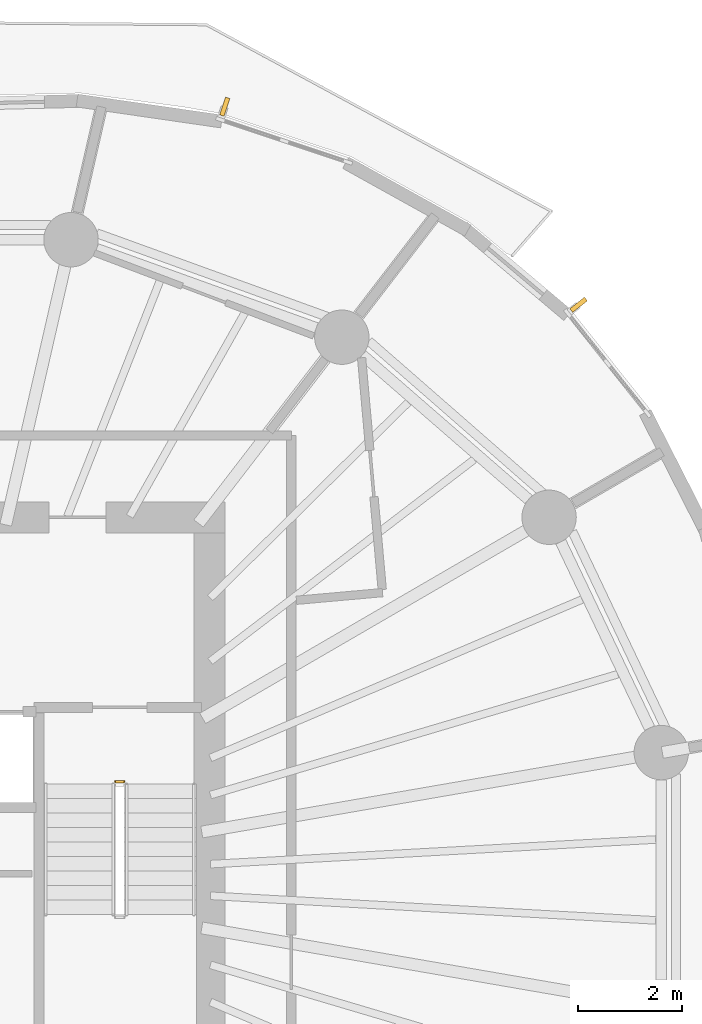
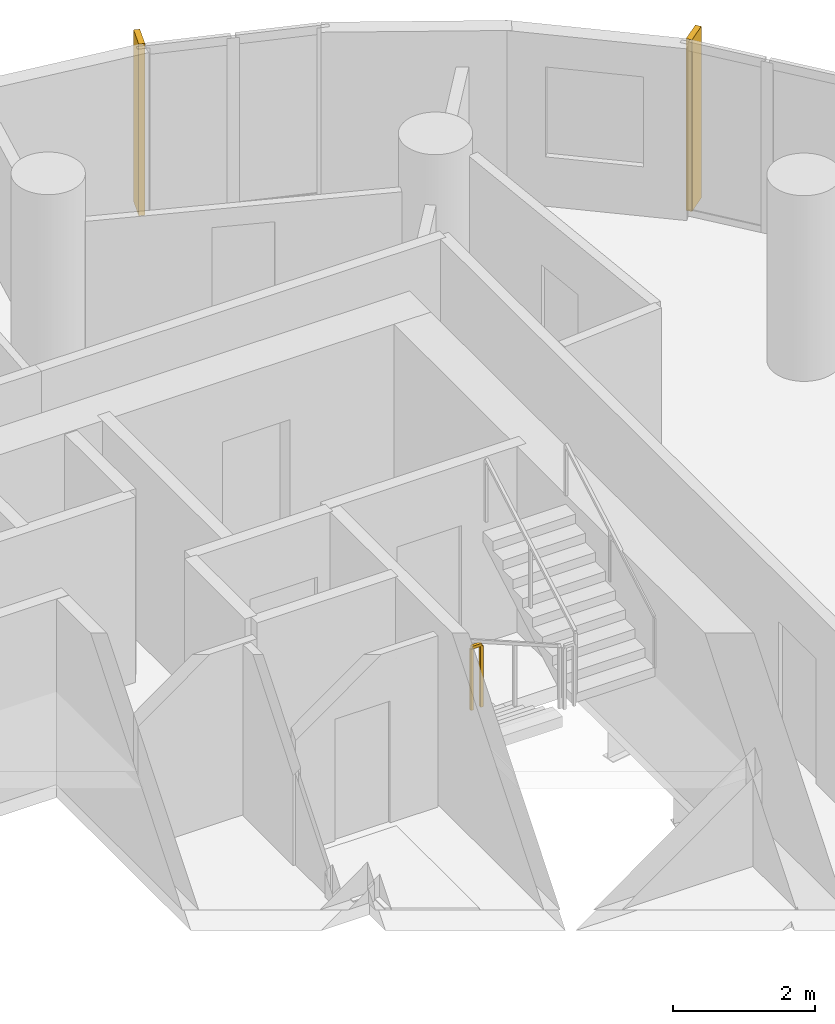
# One storey, part 12 of 12: 2 shading devices, 1 railing.
"""IFC4 building model written with IfcOpenShell, lengths in metres."""

from ifc_helpers import new_model, si_unit, direction, frame, origin, origin_2d, place, context, subcontext, project, spatial, rectangle, extrude, material, layer, layer_set, type_object, element, save


model = new_model("IFC4")

# Units and contexts
model_context = context("Model", 3, precision=1e-05, world=origin(), true_north=direction((0.0, 1.0)))
body_context = subcontext(model_context, "Body", "Model", "MODEL_VIEW")
ifc_project = project(units=[si_unit("LENGTHUNIT", "METRE"), si_unit("AREAUNIT", "SQUARE_METRE"), si_unit("VOLUMEUNIT", "CUBIC_METRE"), si_unit("PLANEANGLEUNIT", "RADIAN"), si_unit("MASSUNIT", "GRAM", prefix="KILO")], contexts=[model_context])

# Site, building, storey
site_placement = place(None, origin())
site = spatial("IfcSite", under=ifc_project, at=site_placement, CompositionType="ELEMENT")
building_placement = place(site_placement, origin())
building = spatial("IfcBuilding", under=site, at=building_placement, Name="Veldorim Arch Residences", CompositionType="ELEMENT")
storey_placement = place(building_placement, frame((0.0, 0.0, 132.9599609375)))
storey = spatial("IfcBuildingStorey", under=building, at=storey_placement, Name="L39", CompositionType="ELEMENT", Elevation=132.9599609375)

# Railing
ifc_material_1 = material(Name="Steel S355", Category="steel")
railing_type = type_object("IfcRailingType", Name="Galvanised Steel Stair Safety Guardrail 1100", PredefinedType="GUARDRAIL", material=ifc_material_1)
railing_placement = place(storey_placement, frame((35.68994140625, 25.89990234375, 0.0)))
element("IfcRailing", 1, at=railing_placement, inside=storey, type_object=railing_type, Name="L39 ST-2 stair guard 4", PredefinedType="GUARDRAIL", context=body_context, shape_type="SweptSolid", body=[
    extrude(rectangle(XDim=0.048095703125, YDim=0.048095703125, at=origin_2d()), frame((0.0, 0.0, 1.076171875), z_axis=(1.0, 0.0, 0.0), x_axis=(0.0, 1.0, 0.0)), (0.0, 0.0, 1.0), 0.16015625),
    extrude(rectangle(XDim=0.0419921875, YDim=0.0419921875, at=origin_2d()), origin(), (0.0, 0.0, 1.0), 1.052001953125),
    extrude(rectangle(XDim=0.0419921875, YDim=0.0419921875, at=origin_2d()), frame((0.16015625, 0.0, 0.0)), (0.0, 0.0, 1.0), 1.052001953125),
])

# Shading devices
ifc_material_2 = material(Name="Terracotta Ceramic", Category="masonry")
ifc_layer = layer(ifc_material_2, 0.090087890625, Name="Vertical Extruded Terracotta Baguette Sun-Shading Fin")
ifc_layer_set = layer_set([ifc_layer], Name="Terracotta Ceramic")
shading_device_type = type_object("IfcShadingDeviceType", Name="Vertical Extruded Terracotta Baguette Sun-Shading Fin", PredefinedType="USERDEFINED", material=ifc_layer_set)
for number, where, z_axis, x_axis, name in (
    (2, (44.625, 35.101318359375, 0.0), (0.0, 0.0, 1.0), (0.622514636638, -0.782608156852, 0.0), "L39 vertical terracotta sun-shading fin 01"),
    (3, (37.796142578125, 38.92626953125, 0.0), (0.0, 0.0, 1.0), (0.948931088342, -0.315483422034, 0.0), "L39 vertical terracotta sun-shading fin 04"),
):
    element("IfcShadingDevice", number, at=place(storey_placement, frame(where, z_axis=z_axis, x_axis=x_axis)), inside=storey, type_object=shading_device_type, Name=name, ObjectType="FIN", PredefinedType="USERDEFINED", context=body_context, shape_type="SweptSolid", body=[
        extrude(rectangle(XDim=0.090087890625, YDim=0.360107421875, at=origin_2d()), origin(), (0.0, 0.0, 1.0), 2.9599609375),
    ])

save(model, "model.ifc")
